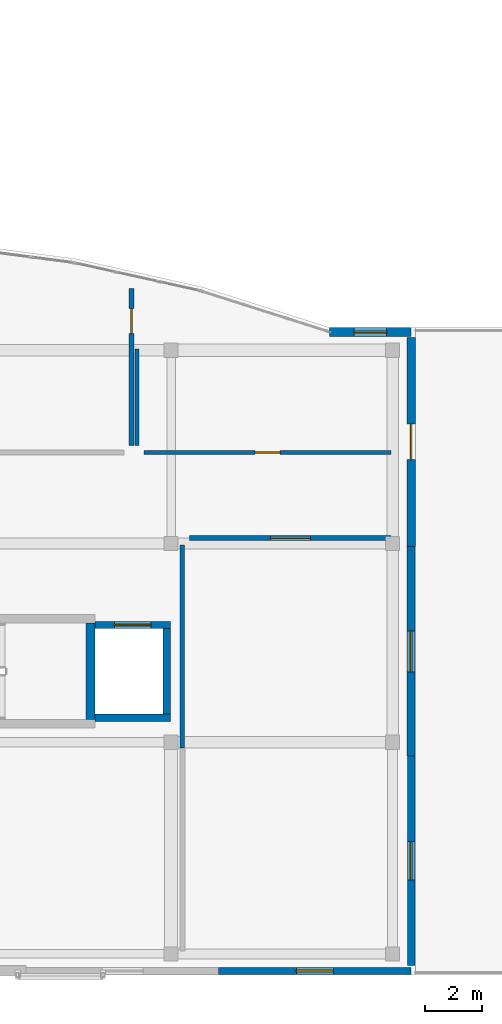
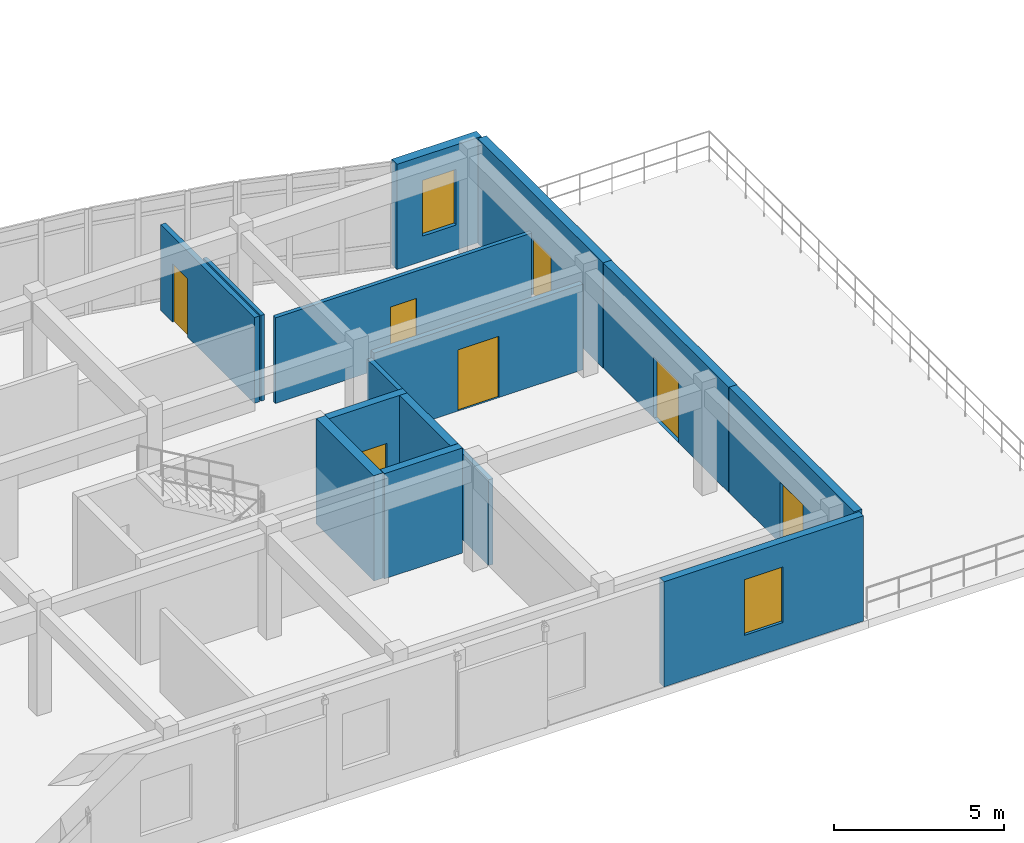
# One storey, part 80 of 91: 14 walls, 7 doors, 2 windows, 9 openings.
"""IFC4 building model written with IfcOpenShell, lengths in metres."""

import ifcopenshell
import ifcopenshell.guid

model = None  # the IFC model being written
_history = None  # IfcOwnerHistory: only IFC2X3 demands one
_inside = {}  # id of a spatial element -> (the spatial element, [elements in it])
_under = {}  # id of a project, library or spatial element -> (it, [spatial elements below it])
_declared = {}  # id of a project -> (the project, [libraries it declares])
_typed = {}  # id of a type object -> (the type object, [elements of that type])
_made_of = {}  # id of a material, layer set ... -> (it, [elements and type objects made of it])


def new_model(schema):
    """Start an empty IFC model of exactly this schema.

    Asked for "IFC4X3", IfcOpenShell would pick the latest addendum, in which some entities
    have other attributes; the version numbers below select the first issue.
    IFC2X3 requires an IfcOwnerHistory on every rooted entity: one is made here for all.
    """
    global model, _history
    if schema == "IFC4X3":
        model = ifcopenshell.file(schema_version=(4, 3, 0, 0))
    else:
        model = ifcopenshell.file(schema=schema)
    _inside.clear()
    _under.clear()
    _declared.clear()
    _typed.clear()
    _made_of.clear()
    _history = None
    if model.schema == "IFC2X3":
        org = make("IfcOrganization", Name="unknown")
        user = make(
            "IfcPersonAndOrganization",
            ThePerson=make("IfcPerson", FamilyName="unknown"),
            TheOrganization=org,
        )
        app = make(
            "IfcApplication",
            ApplicationDeveloper=org,
            Version="unknown",
            ApplicationFullName="unknown",
            ApplicationIdentifier="unknown",
        )
        _history = make(
            "IfcOwnerHistory",
            OwningUser=user,
            OwningApplication=app,
            ChangeAction="ADDED",
            CreationDate=0,
        )
    return model


def make(cls, **values):
    """One entity of the class cls with the attributes given. An attribute that is None is left unset."""
    return model.create_entity(
        cls, **{name: value for name, value in values.items() if value is not None}
    )


def rooted(cls, **values):
    """An entity with a GlobalId (a new one), such as an element, a storey or a relation."""
    return make(cls, GlobalId=ifcopenshell.guid.new(), OwnerHistory=_history, **values)


def si_unit(unit_type, name, prefix=None):
    """IfcSIUnit, for example si_unit("LENGTHUNIT", "METRE", prefix="MILLI")."""
    return make("IfcSIUnit", UnitType=unit_type, Prefix=prefix, Name=name)


def assignment(units):
    """IfcUnitAssignment: the units of a project."""
    return None if units is None else make("IfcUnitAssignment", Units=units)


def point(xyz):
    """IfcCartesianPoint."""
    return None if xyz is None else make("IfcCartesianPoint", Coordinates=xyz)


def direction(xyz):
    """IfcDirection."""
    return None if xyz is None else make("IfcDirection", DirectionRatios=xyz)


def frame(location, z_axis=None, x_axis=None):
    """IfcAxis2Placement3D, a coordinate frame: its origin and axes. An axis left out is left unset."""
    return make(
        "IfcAxis2Placement3D",
        Location=point(location),
        Axis=direction(z_axis),
        RefDirection=direction(x_axis),
    )


def frame_2d(location, x_axis=None):
    """IfcAxis2Placement2D, a coordinate frame in the plane: its origin and x axis."""
    return make(
        "IfcAxis2Placement2D", Location=point(location), RefDirection=direction(x_axis)
    )


def origin():
    """The frame at (0, 0, 0) with its axes left unset."""
    return frame((0.0, 0.0, 0.0))


def place(relative_to, where):
    """IfcLocalPlacement: puts the frame where relative to a parent placement (None: the world)."""
    return make(
        "IfcLocalPlacement", PlacementRelTo=relative_to, RelativePlacement=where
    )


def context(
    kind, dimensions, precision=None, world=None, true_north=None, identifier=None
):
    """IfcGeometricRepresentationContext, for example the 3D "Model" context."""
    return make(
        "IfcGeometricRepresentationContext",
        ContextIdentifier=identifier,
        ContextType=kind,
        CoordinateSpaceDimension=dimensions,
        Precision=precision,
        WorldCoordinateSystem=world,
        TrueNorth=true_north,
    )


def subcontext(parent, identifier, kind, view, scale=None):
    """IfcGeometricRepresentationSubContext, for example "Body" below "Model"."""
    return make(
        "IfcGeometricRepresentationSubContext",
        ContextIdentifier=identifier,
        ContextType=kind,
        ParentContext=parent,
        TargetScale=scale,
        TargetView=view,
    )


def project(units=None, contexts=None):
    """IfcProject with its units and contexts."""
    return rooted(
        "IfcProject",
        Name="project",
        RepresentationContexts=contexts,
        UnitsInContext=assignment(units),
    )


def spatial(cls, under=None, at=None, **own):
    """A site, building, storey or space (cls), placed at a placement, below another one or the project."""
    s = rooted(cls, ObjectPlacement=at, **own)
    if under is not None:
        _under.setdefault(under.id(), (under, []))[1].append(s)
    return s


def profile(cls, at=None, kind="AREA", **sizes):
    """A parametric profile (cls). Its sizes go by their IFC names, for example OverallWidth=200.0."""
    return make(cls, ProfileType=kind, Position=at, **sizes)


def rectangle(**sizes):
    """IfcRectangleProfileDef."""
    return profile("IfcRectangleProfileDef", **sizes)


def extrude(swept, where, along, depth):
    """IfcExtrudedAreaSolid: the profile swept, set in the frame where, extruded along a direction by depth."""
    return make(
        "IfcExtrudedAreaSolid",
        SweptArea=swept,
        Position=where,
        ExtrudedDirection=direction(along),
        Depth=depth,
    )


def shape(context_of_items, identifier, shape_type, items):
    """IfcShapeRepresentation: the items that make up one representation, for example the "Body"."""
    return make(
        "IfcShapeRepresentation",
        ContextOfItems=context_of_items,
        RepresentationIdentifier=identifier,
        RepresentationType=shape_type,
        Items=items,
    )


def material(Name=None, Category=None):
    """IfcMaterial."""
    return make("IfcMaterial", Name=Name, Category=Category)


def layer(
    of_material, thickness, ventilated=None, Name=None, Category=None, Priority=None
):
    """IfcMaterialLayer: one layer of a wall or slab, of a material (None: an air gap)."""
    return make(
        "IfcMaterialLayer",
        Material=of_material,
        LayerThickness=thickness,
        IsVentilated=ventilated,
        Name=Name,
        Category=Category,
        Priority=Priority,
    )


def layer_set(layers, Name=None):
    """IfcMaterialLayerSet."""
    return make("IfcMaterialLayerSet", MaterialLayers=layers, LayerSetName=Name)


def made_of(thing, what):
    """Note that an element or type object is made of a material, layer set ...; save() writes the relation."""
    if what is not None:
        _made_of.setdefault(what.id(), (what, []))[1].append(thing)
    return thing


def type_object(cls, material=None, **own):
    """A type object (cls), such as IfcWallType, which elements share."""
    return made_of(rooted(cls, **own), material)


def element(
    cls,
    number,
    at=None,
    inside=None,
    cuts=None,
    type_object=None,
    material=None,
    context=None,
    identifier="Body",
    shape_type=None,
    held_by="IfcProductDefinitionShape",
    body=None,
    shapes=None,
    **own,
):
    """One element of the class cls, such as IfcWall. Its Tag is "e" and its number.

    at: its placement. inside: the storey or other place that contains it. cuts: it is an
    opening in that element (IfcRelVoidsElement). A single representation is given by context,
    identifier, shape_type and body (its items); several are given by shapes. held_by: the class
    of the entity that holds the representations. save() writes the other relations.
    """
    e = rooted(cls, Tag="e%d" % number, ObjectPlacement=at, **own)
    if body is not None:
        shapes = [shape(context, identifier, shape_type, body)]
    if shapes is not None:
        e.Representation = make(held_by, Representations=shapes)
    if inside is not None:
        _inside.setdefault(inside.id(), (inside, []))[1].append(e)
    if cuts is not None:
        rooted(
            "IfcRelVoidsElement", RelatingBuildingElement=cuts, RelatedOpeningElement=e
        )
    if type_object is not None:
        _typed.setdefault(type_object.id(), (type_object, []))[1].append(e)
    return made_of(e, material)


def fill(opening, filler):
    """IfcRelFillsElement: the door or window that sits in an opening."""
    return rooted(
        "IfcRelFillsElement",
        RelatingOpeningElement=opening,
        RelatedBuildingElement=filler,
    )


def aggregate(whole, parts):
    """IfcRelAggregates: a whole, such as a stair, and the parts it consists of."""
    return rooted("IfcRelAggregates", RelatingObject=whole, RelatedObjects=parts)


def save(model, path):
    """Write the relations noted so far, then the file.

    IfcRelAggregates (storeys below a building ...), IfcRelContainedInSpatialStructure (elements
    in a storey), IfcRelDefinesByType, IfcRelAssociatesMaterial and IfcRelDeclares: one each for
    every whole, place, type object, material and project.
    """
    for whole, parts in _under.values():
        aggregate(whole, parts)
    for where, things in _inside.values():
        rooted(
            "IfcRelContainedInSpatialStructure",
            RelatedElements=things,
            RelatingStructure=where,
        )
    for kind, things in _typed.values():
        rooted("IfcRelDefinesByType", RelatedObjects=things, RelatingType=kind)
    for what, things in _made_of.values():
        rooted("IfcRelAssociatesMaterial", RelatedObjects=things, RelatingMaterial=what)
    for by, libraries in _declared.values():
        rooted("IfcRelDeclares", RelatingContext=by, RelatedDefinitions=libraries)
    model.write(path)


model = new_model("IFC4")

# Units and contexts
model_context = context("Model", 3, precision=1e-05, world=origin(), true_north=direction((0.0, 1.0)))
body_context = subcontext(model_context, "Body", "Model", "MODEL_VIEW")
ifc_project = project(units=[si_unit("LENGTHUNIT", "METRE"), si_unit("AREAUNIT", "SQUARE_METRE"), si_unit("VOLUMEUNIT", "CUBIC_METRE"), si_unit("PLANEANGLEUNIT", "RADIAN"), si_unit("MASSUNIT", "GRAM", prefix="KILO")], contexts=[model_context])

# Site, building, storey
site_placement = place(None, origin())
site = spatial("IfcSite", under=ifc_project, at=site_placement, CompositionType="ELEMENT")
building_placement = place(site_placement, origin())
building = spatial("IfcBuilding", under=site, at=building_placement, Name="Valcora Specialist Clinic", CompositionType="ELEMENT")
storey_placement = place(building_placement, frame((0.0, 0.0, 13.60009765625)))
storey = spatial("IfcBuildingStorey", under=building, at=storey_placement, Name="L03", CompositionType="ELEMENT", Elevation=13.60009765625)

# Wall
ifc_material_1 = material(Name="Concrete C40/50", Category="concrete")
ifc_layer_1 = layer(ifc_material_1, 0.320068359375)
ifc_layer_set_1 = layer_set([ifc_layer_1], Name="Concrete C40/50")
wall_type_1 = type_object("IfcWallType", Name="TY-WL-CR320", PredefinedType="SHEAR", material=ifc_layer_set_1)
wall_1_placement = place(storey_placement, frame((96.56005859375, 9.001953125, 0.0), z_axis=(0.0, 0.0, 1.0), x_axis=(0.0, 1.0, 0.0)))
element("IfcWall", 1, at=wall_1_placement, inside=storey, type_object=wall_type_1, Name="Core shear wall WL-CR-C-V6B-L03-E", PredefinedType="SHEAR", context=body_context, shape_type="SweptSolid", body=[
    extrude(rectangle(XDim=3.39599609375, YDim=0.320068359375, at=frame_2d((1.697998046875, 0.0))), origin(), (0.0, 0.0, 1.0), 3.77978515625),
])

# Wall, opening, window
ifc_material_2 = material(Name="Extruded Jalisco Clay Brick Masonry", Category="masonry")
ifc_layer_2 = layer(ifc_material_2, 0.25)
ifc_layer_set_2 = layer_set([ifc_layer_2], Name="Extruded Jalisco Clay Brick Masonry")
wall_type_2 = type_object("IfcWallType", Name="TY-WL-EW250", PredefinedType="SOLIDWALL", material=ifc_layer_set_2)
wall_2_placement = place(storey_placement, frame((107.85009765625, 0.14990234375, 0.0), z_axis=(0.0, 0.0, 1.0), x_axis=(-1.0, 0.0, 0.0)))
wall_2 = element("IfcWall", 2, at=wall_2_placement, inside=storey, type_object=wall_type_2, Name="Exterior wall WL-EXT-L03-0369", PredefinedType="SOLIDWALL", context=body_context, shape_type="SweptSolid", body=[
    extrude(rectangle(XDim=6.775146484375, YDim=0.25, at=frame_2d((3.3876953125, 0.0))), origin(), (0.0, 0.0, 1.0), 3.77978515625),
])
opening_1_placement = place(wall_2_placement, frame((2.737060546875, 0.0, 0.89990234375)))
opening_1 = element("IfcOpeningElement", 3, at=opening_1_placement, cuts=wall_2, Name="Opening WN-22", PredefinedType="OPENING", context=body_context, shape_type="SweptSolid", body=[
    extrude(rectangle(XDim=1.300048828125, YDim=2.0, at=frame_2d((0.64990234375, 1.0))), frame((0.0, 0.135009765625, 0.0), z_axis=(0.0, -1.0, 0.0), x_axis=(1.0, 0.0, 0.0)), (0.0, 0.0, 1.0), 0.27001953125),
])
ifc_material_3 = material(Name="Low-E Laminated Insulating Glass", Category="glass")
window_type_1 = type_object("IfcWindowType", Name="TY-WN-22", PartitioningType="SINGLE_PANEL", PredefinedType="WINDOW", material=ifc_material_3)
window_1_placement = place(opening_1_placement, origin())
window_1 = element("IfcWindow", 4, at=window_1_placement, inside=storey, type_object=window_type_1, Name="Facade window WN-L03-0316", OverallHeight=2.0, OverallWidth=1.300048828125, PartitioningType="SINGLE_PANEL", PredefinedType="WINDOW", context=body_context, shape_type="SweptSolid", body=[
    extrude(rectangle(XDim=1.300048828125, YDim=2.0, at=frame_2d((0.64990234375, 1.0))), frame((0.0, 0.030029296875, 0.0), z_axis=(0.0, -1.0, 0.0), x_axis=(1.0, 0.0, 0.0)), (0.0, 0.0, 1.0), 0.06005859375),
])
fill(opening_1, window_1)

# Wall, opening, door
ifc_layer_3 = layer(ifc_material_2, 0.264892578125)
ifc_layer_set_3 = layer_set([ifc_layer_3], Name="Extruded Jalisco Clay Brick Masonry")
wall_type_3 = type_object("IfcWallType", Name="TY-WL-EW265", PredefinedType="SOLIDWALL", material=ifc_layer_set_3)
wall_3_placement = place(storey_placement, frame((107.85009765625, 7.71337890625, 0.0), z_axis=(0.0, 0.0, 1.0), x_axis=(0.0, -1.0, 0.0)))
wall_3 = element("IfcWall", 5, at=wall_3_placement, inside=storey, type_object=wall_type_3, Name="Exterior wall WL-EXT-L03-0368", PredefinedType="SOLIDWALL", context=body_context, shape_type="SweptSolid", body=[
    extrude(rectangle(XDim=7.373291015625, YDim=0.264892578125, at=frame_2d((3.6865234375, 0.0))), origin(), (0.0, 0.0, 1.0), 3.77978515625),
])
opening_2_placement = place(wall_3_placement, frame((3.011962890625, 0.0, 0.0)))
opening_2 = element("IfcOpeningElement", 6, at=opening_2_placement, cuts=wall_3, Name="Opening DR-TR-135", PredefinedType="OPENING", context=body_context, shape_type="SweptSolid", body=[
    extrude(rectangle(XDim=1.35009765625, YDim=2.199951171875, at=frame_2d((0.675048828125, 1.10009765625))), frame((0.0, 0.142333984375, 0.0), z_axis=(0.0, -1.0, 0.0), x_axis=(1.0, 0.0, 0.0)), (0.0, 0.0, 1.0), 0.284912109375),
])
ifc_material_4 = material(Name="Anodized Bronze Aluminium 6063-T6", Category="aluminium")
door_type_1 = type_object("IfcDoorType", Name="TY-DR-TR135", OperationType="NOTDEFINED", PredefinedType="DOOR", material=ifc_material_4)
door_1_placement = place(opening_2_placement, origin())
door_1 = element("IfcDoor", 7, at=door_1_placement, inside=storey, type_object=door_type_1, Name="Exterior door DR-EXT-L03-026", OperationType="SINGLE_SWING_RIGHT", OverallHeight=2.199951171875, OverallWidth=1.35009765625, PredefinedType="DOOR", context=body_context, shape_type="SweptSolid", body=[
    extrude(rectangle(XDim=1.35009765625, YDim=2.199951171875, at=frame_2d((0.675048828125, 1.10009765625))), frame((0.0, 0.02490234375, 0.0), z_axis=(0.0, -1.0, 0.0), x_axis=(1.0, 0.0, 0.0)), (0.0, 0.0, 1.0), 0.050048828125),
])
fill(opening_2, door_1)

ifc_layer_4 = layer(ifc_material_2, 0.280029296875)
ifc_layer_set_4 = layer_set([ifc_layer_4], Name="Extruded Jalisco Clay Brick Masonry")
wall_type_4 = type_object("IfcWallType", Name="TY-WL-EW280", PredefinedType="SOLIDWALL", material=ifc_layer_set_4)
wall_4_placement = place(storey_placement, frame((107.85009765625, 15.086669921875, 0.0), z_axis=(0.0, 0.0, 1.0), x_axis=(0.0, -1.0, 0.0)))
wall_4 = element("IfcWall", 8, at=wall_4_placement, inside=storey, type_object=wall_type_4, Name="Exterior wall WL-EXT-L03-0367", PredefinedType="SOLIDWALL", context=body_context, shape_type="SweptSolid", body=[
    extrude(rectangle(XDim=7.373291015625, YDim=0.280029296875, at=frame_2d((3.6865234375, 0.0))), origin(), (0.0, 0.0, 1.0), 3.77978515625),
])
opening_3_placement = place(wall_4_placement, frame((2.9619140625, 0.0, 0.0)))
opening_3 = element("IfcOpeningElement", 9, at=opening_3_placement, cuts=wall_4, Name="Opening DR-TR-145", PredefinedType="OPENING", context=body_context, shape_type="SweptSolid", body=[
    extrude(rectangle(XDim=1.449951171875, YDim=2.199951171875, at=frame_2d((0.72509765625, 1.10009765625))), frame((0.0, 0.14990234375, 0.0), z_axis=(0.0, -1.0, 0.0), x_axis=(1.0, 0.0, 0.0)), (0.0, 0.0, 1.0), 0.300048828125),
])
door_type_2 = type_object("IfcDoorType", Name="TY-DR-TR145", OperationType="NOTDEFINED", PredefinedType="DOOR", material=ifc_material_4)
door_2_placement = place(opening_3_placement, origin())
door_2 = element("IfcDoor", 10, at=door_2_placement, inside=storey, type_object=door_type_2, Name="Exterior door DR-EXT-L03-025", OperationType="SINGLE_SWING_LEFT", OverallHeight=2.199951171875, OverallWidth=1.449951171875, PredefinedType="DOOR", context=body_context, shape_type="SweptSolid", body=[
    extrude(rectangle(XDim=1.449951171875, YDim=2.199951171875, at=frame_2d((0.72509765625, 1.10009765625))), frame((0.0, 0.02490234375, 0.0), z_axis=(0.0, -1.0, 0.0), x_axis=(1.0, 0.0, 0.0)), (0.0, 0.0, 1.0), 0.050048828125),
])
fill(opening_3, door_2)

ifc_layer_5 = layer(ifc_material_2, 0.294921875)
ifc_layer_set_5 = layer_set([ifc_layer_5], Name="Extruded Jalisco Clay Brick Masonry")
wall_type_5 = type_object("IfcWallType", Name="TY-WL-EW295", PredefinedType="SOLIDWALL", material=ifc_layer_set_5)
wall_5_placement = place(storey_placement, frame((107.85009765625, 22.4599609375, 0.0), z_axis=(0.0, 0.0, 1.0), x_axis=(0.0, -1.0, 0.0)))
wall_5 = element("IfcWall", 11, at=wall_5_placement, inside=storey, type_object=wall_type_5, Name="Exterior wall WL-EXT-L03-0366", PredefinedType="SOLIDWALL", context=body_context, shape_type="SweptSolid", body=[
    extrude(rectangle(XDim=7.373291015625, YDim=0.294921875, at=frame_2d((3.6865234375, 0.0))), origin(), (0.0, 0.0, 1.0), 3.77978515625),
])
opening_4_placement = place(wall_5_placement, frame((3.06201171875, 0.0, 0.0)))
opening_4 = element("IfcOpeningElement", 12, at=opening_4_placement, cuts=wall_5, Name="Opening DR-TR-125", PredefinedType="OPENING", context=body_context, shape_type="SweptSolid", body=[
    extrude(rectangle(XDim=1.25, YDim=2.14990234375, at=frame_2d((0.625, 1.074951171875))), frame((0.0, 0.157470703125, 0.0), z_axis=(0.0, -1.0, 0.0), x_axis=(1.0, 0.0, 0.0)), (0.0, 0.0, 1.0), 0.31494140625),
])
door_type_3 = type_object("IfcDoorType", Name="TY-DR-TR125", OperationType="NOTDEFINED", PredefinedType="DOOR", material=ifc_material_4)
door_3_placement = place(opening_4_placement, origin())
door_3 = element("IfcDoor", 13, at=door_3_placement, inside=storey, type_object=door_type_3, Name="Exterior door DR-EXT-L03-024", OperationType="SINGLE_SWING_RIGHT", OverallHeight=2.14990234375, OverallWidth=1.25, PredefinedType="DOOR", context=body_context, shape_type="SweptSolid", body=[
    extrude(rectangle(XDim=1.25, YDim=2.14990234375, at=frame_2d((0.625, 1.074951171875))), frame((0.0, 0.02490234375, 0.0), z_axis=(0.0, -1.0, 0.0), x_axis=(1.0, 0.0, 0.0)), (0.0, 0.0, 1.0), 0.050048828125),
])
fill(opening_4, door_3)

# Wall, opening, window
ifc_layer_6 = layer(ifc_material_2, 0.31005859375)
ifc_layer_set_6 = layer_set([ifc_layer_6], Name="Extruded Jalisco Clay Brick Masonry")
wall_type_6 = type_object("IfcWallType", Name="TY-WL-EW310", PredefinedType="SOLIDWALL", material=ifc_layer_set_6)
wall_6_placement = place(storey_placement, frame((104.976806640625, 22.64990234375, 0.0), z_axis=(0.0, 0.0, 1.0), x_axis=(1.0, 0.0, 0.0)))
wall_6 = element("IfcWall", 14, at=wall_6_placement, inside=storey, type_object=wall_type_6, Name="Exterior wall WL-EXT-L03-0365", PredefinedType="SOLIDWALL", context=body_context, shape_type="SweptSolid", body=[
    extrude(rectangle(XDim=2.873291015625, YDim=0.31005859375, at=frame_2d((1.4365234375, 0.0))), origin(), (0.0, 0.0, 1.0), 3.77978515625),
])
opening_5_placement = place(wall_6_placement, frame((0.862060546875, 0.0, 0.89990234375)))
opening_5 = element("IfcOpeningElement", 15, at=opening_5_placement, cuts=wall_6, Name="Opening WN-21", PredefinedType="OPENING", context=body_context, shape_type="SweptSolid", body=[
    extrude(rectangle(XDim=1.14990234375, YDim=2.0, at=frame_2d((0.574951171875, 1.0))), frame((0.0, 0.1650390625, 0.0), z_axis=(0.0, -1.0, 0.0), x_axis=(1.0, 0.0, 0.0)), (0.0, 0.0, 1.0), 0.330078125),
])
window_type_2 = type_object("IfcWindowType", Name="TY-WN-21", PartitioningType="SINGLE_PANEL", PredefinedType="WINDOW", material=ifc_material_3)
window_2_placement = place(opening_5_placement, origin())
window_2 = element("IfcWindow", 16, at=window_2_placement, inside=storey, type_object=window_type_2, Name="Facade window WN-L03-0315", OverallHeight=2.0, OverallWidth=1.14990234375, PartitioningType="SINGLE_PANEL", PredefinedType="WINDOW", context=body_context, shape_type="SweptSolid", body=[
    extrude(rectangle(XDim=1.14990234375, YDim=2.0, at=frame_2d((0.574951171875, 1.0))), frame((0.0, 0.030029296875, 0.0), z_axis=(0.0, -1.0, 0.0), x_axis=(1.0, 0.0, 0.0)), (0.0, 0.0, 1.0), 0.06005859375),
])
fill(opening_5, window_2)

# Wall
ifc_material_5 = material(Name="Gypsum Board Partition Assembly")
ifc_layer_7 = layer(ifc_material_5, 0.125)
ifc_layer_set_7 = layer_set([ifc_layer_7], Name="Gypsum Board Partition Assembly")
wall_type_7 = type_object("IfcWallType", Name="TY-WL-PT125", PredefinedType="PARTITIONING", material=ifc_layer_set_7)
wall_7_placement = place(storey_placement, frame((98.199951171875, 18.64990234375, 0.0), z_axis=(0.0, 0.0, 1.0), x_axis=(0.0, 1.0, 0.0)))
element("IfcWall", 17, at=wall_7_placement, inside=storey, type_object=wall_type_7, Name="Interior partition WL-INT-L03-0452", PredefinedType="PARTITIONING", context=body_context, shape_type="SweptSolid", body=[
    extrude(rectangle(XDim=3.400146484375, YDim=0.125, at=frame_2d((1.7001953125, 0.0))), origin(), (0.0, 0.0, 1.0), 3.079833984375),
])

# Wall, opening, door
ifc_layer_8 = layer(ifc_material_5, 0.135009765625)
ifc_layer_set_8 = layer_set([ifc_layer_8], Name="Gypsum Board Partition Assembly")
wall_type_8 = type_object("IfcWallType", Name="TY-WL-PT135", PredefinedType="PARTITIONING", material=ifc_layer_set_8)
wall_8_placement = place(storey_placement, frame((107.14990234375, 18.39990234375, 0.0), z_axis=(0.0, 0.0, 1.0), x_axis=(-1.0, 0.0, 0.0)))
wall_8 = element("IfcWall", 18, at=wall_8_placement, inside=storey, type_object=wall_type_8, Name="Interior partition WL-INT-L03-0451", PredefinedType="PARTITIONING", context=body_context, shape_type="SweptSolid", body=[
    extrude(rectangle(XDim=8.699951171875, YDim=0.135009765625, at=frame_2d((4.35009765625, 0.0))), origin(), (0.0, 0.0, 1.0), 3.079833984375),
])
opening_6_placement = place(wall_8_placement, frame((3.909912109375, 0.0, 0.0)))
opening_6 = element("IfcOpeningElement", 19, at=opening_6_placement, cuts=wall_8, Name="Opening DR-WC-088", PredefinedType="OPENING", context=body_context, shape_type="SweptSolid", body=[
    extrude(rectangle(XDim=0.8798828125, YDim=2.10009765625, at=frame_2d((0.43994140625, 1.050048828125))), frame((0.0, 0.077392578125, 0.0), z_axis=(0.0, -1.0, 0.0), x_axis=(1.0, 0.0, 0.0)), (0.0, 0.0, 1.0), 0.155029296875),
])
ifc_material_6 = material(Name="Glulam Conifer Class 24F", Category="wood")
door_type_4 = type_object("IfcDoorType", Name="TY-DR-WC088", OperationType="NOTDEFINED", PredefinedType="DOOR", material=ifc_material_6)
door_4_placement = place(opening_6_placement, origin())
door_4 = element("IfcDoor", 20, at=door_4_placement, inside=storey, type_object=door_type_4, Name="Interior door DR-INT-L03-0126", OperationType="SINGLE_SWING_RIGHT", OverallHeight=2.10009765625, OverallWidth=0.8798828125, PredefinedType="DOOR", context=body_context, shape_type="SweptSolid", body=[
    extrude(rectangle(XDim=0.8798828125, YDim=2.10009765625, at=frame_2d((0.43994140625, 1.050048828125))), frame((0.0, 0.02490234375, 0.0), z_axis=(0.0, -1.0, 0.0), x_axis=(1.0, 0.0, 0.0)), (0.0, 0.0, 1.0), 0.050048828125),
])
fill(opening_6, door_4)

# Wall
ifc_layer_9 = layer(ifc_material_5, 0.155029296875)
ifc_layer_set_9 = layer_set([ifc_layer_9], Name="Gypsum Board Partition Assembly")
wall_type_9 = type_object("IfcWallType", Name="TY-WL-PT155", PredefinedType="PARTITIONING", material=ifc_layer_set_9)
wall_9_placement = place(storey_placement, frame((99.800048828125, 8.0, 0.0), z_axis=(0.0, 0.0, 1.0), x_axis=(0.0, 1.0, 0.0)))
element("IfcWall", 21, at=wall_9_placement, inside=storey, type_object=wall_type_9, Name="Interior partition WL-INT-L03-0455", PredefinedType="PARTITIONING", context=body_context, shape_type="SweptSolid", body=[
    extrude(rectangle(XDim=7.14990234375, YDim=0.155029296875, at=frame_2d((3.574951171875, 0.0))), origin(), (0.0, 0.0, 1.0), 3.079833984375),
])

# Wall, opening, door
ifc_layer_10 = layer(ifc_material_5, 0.175048828125)
ifc_layer_set_10 = layer_set([ifc_layer_10], Name="Gypsum Board Partition Assembly")
wall_type_10 = type_object("IfcWallType", Name="TY-WL-PT175", PredefinedType="PARTITIONING", material=ifc_layer_set_10)
wall_10_placement = place(storey_placement, frame((98.0, 24.16796875, 0.0), z_axis=(0.0, 0.0, 1.0), x_axis=(0.0, -1.0, 0.0)))
wall_10 = element("IfcWall", 22, at=wall_10_placement, inside=storey, type_object=wall_type_10, Name="Interior partition WL-INT-L03-0445", PredefinedType="PARTITIONING", context=body_context, shape_type="SweptSolid", body=[
    extrude(rectangle(XDim=5.51806640625, YDim=0.175048828125, at=frame_2d((2.759033203125, 0.0))), origin(), (0.0, 0.0, 1.0), 3.079833984375),
])
opening_7_placement = place(wall_10_placement, frame((0.696044921875, 0.0, 0.0)))
opening_7 = element("IfcOpeningElement", 23, at=opening_7_placement, cuts=wall_10, Name="Opening DR-WC-088", PredefinedType="OPENING", context=body_context, shape_type="SweptSolid", body=[
    extrude(rectangle(XDim=0.8798828125, YDim=2.10009765625, at=frame_2d((0.43994140625, 1.050048828125))), frame((0.0, 0.097412109375, 0.0), z_axis=(0.0, -1.0, 0.0), x_axis=(1.0, 0.0, 0.0)), (0.0, 0.0, 1.0), 0.195068359375),
])
door_5_placement = place(opening_7_placement, origin())
door_5 = element("IfcDoor", 24, at=door_5_placement, inside=storey, type_object=door_type_4, Name="Interior door DR-INT-L03-0125", OperationType="SINGLE_SWING_LEFT", OverallHeight=2.10009765625, OverallWidth=0.8798828125, PredefinedType="DOOR", context=body_context, shape_type="SweptSolid", body=[
    extrude(rectangle(XDim=0.8798828125, YDim=2.10009765625, at=frame_2d((0.43994140625, 1.050048828125))), frame((0.0, 0.02490234375, 0.0), z_axis=(0.0, -1.0, 0.0), x_axis=(1.0, 0.0, 0.0)), (0.0, 0.0, 1.0), 0.050048828125),
])
fill(opening_7, door_5)

wall_11_placement = place(storey_placement, frame((100.050048828125, 15.39990234375, 0.0), z_axis=(0.0, 0.0, 1.0), x_axis=(1.0, 0.0, 0.0)))
wall_11 = element("IfcWall", 25, at=wall_11_placement, inside=storey, type_object=wall_type_10, Name="Interior partition WL-INT-L03-0453", PredefinedType="PARTITIONING", context=body_context, shape_type="SweptSolid", body=[
    extrude(rectangle(XDim=7.099853515625, YDim=0.175048828125, at=frame_2d((3.5498046875, 0.0))), origin(), (0.0, 0.0, 1.0), 3.079833984375),
])
opening_8_placement = place(wall_11_placement, frame((2.85009765625, 0.0, 0.0)))
opening_8 = element("IfcOpeningElement", 26, at=opening_8_placement, cuts=wall_11, Name="Opening DR-LB-140", PredefinedType="OPENING", context=body_context, shape_type="SweptSolid", body=[
    extrude(rectangle(XDim=1.39990234375, YDim=2.199951171875, at=frame_2d((0.699951171875, 1.10009765625))), frame((0.0, 0.097412109375, 0.0), z_axis=(0.0, -1.0, 0.0), x_axis=(1.0, 0.0, 0.0)), (0.0, 0.0, 1.0), 0.195068359375),
])
door_type_5 = type_object("IfcDoorType", Name="TY-DR-LB140", OperationType="NOTDEFINED", PredefinedType="DOOR", material=ifc_material_4)
door_6_placement = place(opening_8_placement, origin())
door_6 = element("IfcDoor", 27, at=door_6_placement, inside=storey, type_object=door_type_5, Name="Interior door DR-INT-L03-0127", OperationType="SINGLE_SWING_LEFT", OverallHeight=2.199951171875, OverallWidth=1.39990234375, PredefinedType="DOOR", context=body_context, shape_type="SweptSolid", body=[
    extrude(rectangle(XDim=1.39990234375, YDim=2.199951171875, at=frame_2d((0.699951171875, 1.10009765625))), frame((0.0, 0.02490234375, 0.0), z_axis=(0.0, -1.0, 0.0), x_axis=(1.0, 0.0, 0.0)), (0.0, 0.0, 1.0), 0.050048828125),
])
fill(opening_8, door_6)

# Wall
ifc_layer_11 = layer(ifc_material_1, 0.260009765625)
ifc_layer_set_11 = layer_set([ifc_layer_11], Name="Concrete C40/50")
wall_type_11 = type_object("IfcWallType", Name="TY-WL-SH260", PredefinedType="SHEAR", material=ifc_layer_set_11)
wall_12_placement = place(storey_placement, frame((96.721923828125, 9.070068359375, 0.0), z_axis=(0.0, 0.0, 1.0), x_axis=(1.0, 0.0, 0.0)))
element("IfcWall", 28, at=wall_12_placement, inside=storey, type_object=wall_type_11, Name="Lift shaft wall WL-LF-LF-08-L03-LS", PredefinedType="SHEAR", context=body_context, shape_type="SweptSolid", body=[
    extrude(rectangle(XDim=2.657958984375, YDim=0.260009765625, at=frame_2d((1.3291015625, 0.0))), origin(), (0.0, 0.0, 1.0), 3.77978515625),
])

# Wall, opening, door
wall_13_placement = place(storey_placement, frame((96.721923828125, 12.330078125, 0.0), z_axis=(0.0, 0.0, 1.0), x_axis=(1.0, 0.0, 0.0)))
wall_13 = element("IfcWall", 29, at=wall_13_placement, inside=storey, type_object=wall_type_11, Name="Lift shaft wall WL-LF-LF-08-L03-LN", PredefinedType="SHEAR", context=body_context, shape_type="SweptSolid", body=[
    extrude(rectangle(XDim=2.657958984375, YDim=0.260009765625, at=frame_2d((1.3291015625, 0.0))), origin(), (0.0, 0.0, 1.0), 3.77978515625),
])
opening_9_placement = place(wall_13_placement, frame((0.678955078125, 0.0, 0.0)))
opening_9 = element("IfcOpeningElement", 30, at=opening_9_placement, cuts=wall_13, Name="Opening LD-130", PredefinedType="OPENING", context=body_context, shape_type="SweptSolid", body=[
    extrude(rectangle(XDim=1.300048828125, YDim=2.199951171875, at=frame_2d((0.64990234375, 1.10009765625))), frame((0.0, 0.139892578125, 0.0), z_axis=(0.0, -1.0, 0.0), x_axis=(1.0, 0.0, 0.0)), (0.0, 0.0, 1.0), 0.280029296875),
])
ifc_material_7 = material(Name="Stainless Steel AISI 316", Category="steel")
door_type_6 = type_object("IfcDoorType", Name="TY-LD-130", OperationType="NOTDEFINED", PredefinedType="DOOR", material=ifc_material_7)
door_7_placement = place(opening_9_placement, origin())
door_7 = element("IfcDoor", 31, at=door_7_placement, inside=storey, type_object=door_type_6, Name="Lift landing sliding door LF-08 L03", OperationType="SLIDING_TO_LEFT", OverallHeight=2.199951171875, OverallWidth=1.300048828125, PredefinedType="DOOR", context=body_context, shape_type="SweptSolid", body=[
    extrude(rectangle(XDim=1.300048828125, YDim=2.199951171875, at=frame_2d((0.64990234375, 1.10009765625))), frame((0.0, 0.02490234375, 0.0), z_axis=(0.0, -1.0, 0.0), x_axis=(1.0, 0.0, 0.0)), (0.0, 0.0, 1.0), 0.050048828125),
])
fill(opening_9, door_7)

# Wall
wall_14_placement = place(storey_placement, frame((99.25, 9.201904296875, 0.0), z_axis=(0.0, 0.0, 1.0), x_axis=(0.0, 1.0, 0.0)))
element("IfcWall", 32, at=wall_14_placement, inside=storey, type_object=wall_type_11, Name="Lift shaft wall WL-LF-LF-08-L03-LE", PredefinedType="SHEAR", context=body_context, shape_type="SweptSolid", body=[
    extrude(rectangle(XDim=2.99609375, YDim=0.260009765625, at=frame_2d((1.498046875, 0.0))), origin(), (0.0, 0.0, 1.0), 3.77978515625),
])

save(model, "model.ifc")
